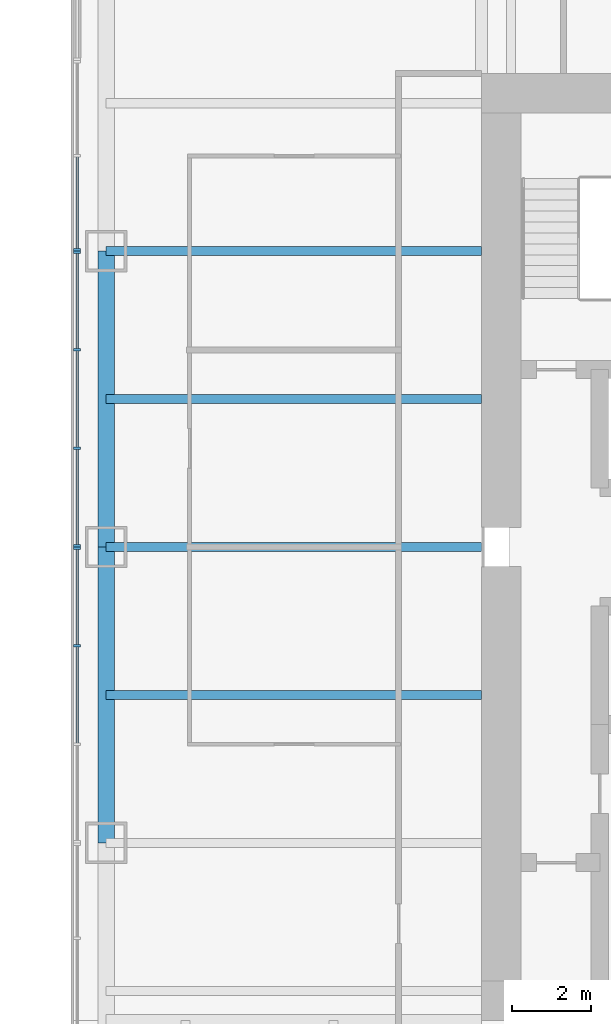
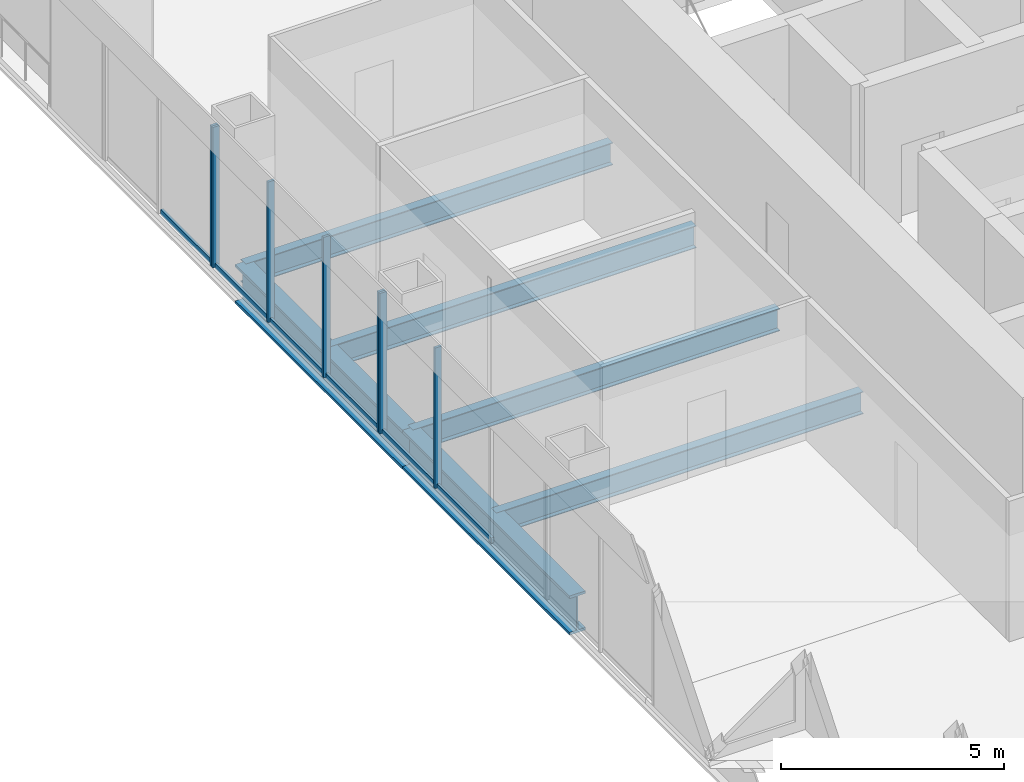
# One storey, part 3 of 13: 13 members, 6 beams, 3 elements without a shape of their own.
"""IFC4 building model written with IfcOpenShell, lengths in metres."""

from ifc_helpers import new_model, si_unit, direction, frame, origin, origin_2d, place, context, subcontext, project, spatial, rectangle, i_section, extrude, material, material_profile, profile_set, type_object, element, aggregate, save


model = new_model("IFC4")

# Units and contexts
model_context = context("Model", 3, precision=1e-05, world=origin(), true_north=direction((0.0, 1.0)))
body_context = subcontext(model_context, "Body", "Model", "MODEL_VIEW")
ifc_project = project(units=[si_unit("LENGTHUNIT", "METRE"), si_unit("AREAUNIT", "SQUARE_METRE"), si_unit("VOLUMEUNIT", "CUBIC_METRE"), si_unit("PLANEANGLEUNIT", "RADIAN"), si_unit("MASSUNIT", "GRAM", prefix="KILO")], contexts=[model_context])

# Site, building, storey
site_placement = place(None, origin())
site = spatial("IfcSite", under=ifc_project, at=site_placement, CompositionType="ELEMENT")
building_placement = place(site_placement, origin())
building = spatial("IfcBuilding", under=site, at=building_placement, Name="Tarangal Relay Tower", CompositionType="ELEMENT")
storey_placement = place(building_placement, frame((0.0, 0.0, 245.89990234375)))
storey = spatial("IfcBuildingStorey", under=building, at=storey_placement, Name="L53", CompositionType="ELEMENT", Elevation=245.89990234375)

# Beams
ifc_material_1 = material(Name="Steel ASTM A992", Category="steel")
ifc_material_profile_1 = material_profile(ifc_material_1, i_section(OverallWidth=0.41650390625, OverallDepth=1.0693359375, WebThickness=0.0390625, FlangeThickness=0.070068359375, at=origin_2d()), Name="W40X503")
ifc_profile_set_1 = profile_set([ifc_material_profile_1], Name="Steel ASTM A992")
beam_type_1 = type_object("IfcBeamType", Name="Edge girder W40X503", PredefinedType="SPANDREL", material=ifc_profile_set_1)
for number, where, z_axis, x_axis, name in (
    (1, (-21.514892578125, -7.5, -0.6845703125), (0.0, 1.0, 0.0), (-1.0, 0.0, 0.0), "Edge girder EG8 W L53"),
    (2, (-21.514892578125, 0.0, -0.6845703125), (0.0, 1.0, 0.0), (-1.0, 0.0, 0.0), "Edge girder EG8 W L53"),
):
    element("IfcBeam", number, at=place(storey_placement, frame(where, z_axis=z_axis, x_axis=x_axis)), inside=storey, type_object=beam_type_1, Name=name, PredefinedType="SPANDREL", context=body_context, shape_type="SweptSolid", body=[
        extrude(i_section(OverallWidth=0.41650390625, OverallDepth=1.0693359375, WebThickness=0.0390625, FlangeThickness=0.070068359375, at=origin_2d()), origin(), (0.0, 0.0, 1.0), 7.5),
    ])
ifc_material_profile_2 = material_profile(ifc_material_1, i_section(OverallWidth=0.22900390625, OverallDepth=0.612060546875, WebThickness=0.011962890625, FlangeThickness=0.01953125, at=origin_2d()), Name="W24X84")
ifc_profile_set_2 = profile_set([ifc_material_profile_2], Name="Steel ASTM A992")
beam_type_2 = type_object("IfcBeamType", Name="Floor beam W24X84", PredefinedType="BEAM", material=ifc_profile_set_2)
for number, where, z_axis, x_axis, name in (
    (3, (-12.0, -3.75, -0.455810546875), (-1.0, 0.0, 0.0), (0.0, -1.0, 0.0), "Floor beam RB12 W L53"),
    (4, (-12.0, 0.0, -0.455810546875), (-1.0, 0.0, 0.0), (0.0, -1.0, 0.0), "Floor beam RB12 W L53"),
    (5, (-12.0, 3.75, -0.455810546875), (-1.0, 0.0, 0.0), (0.0, -1.0, 0.0), "Floor beam RB12 W L53"),
    (6, (-12.0, 7.5, -0.455810546875), (-1.0, 0.0, 0.0), (0.0, -1.0, 0.0), "Floor beam RB12 W L53"),
):
    element("IfcBeam", number, at=place(storey_placement, frame(where, z_axis=z_axis, x_axis=x_axis)), inside=storey, type_object=beam_type_2, Name=name, PredefinedType="BEAM", context=body_context, shape_type="SweptSolid", body=[
        extrude(i_section(OverallWidth=0.22900390625, OverallDepth=0.612060546875, WebThickness=0.011962890625, FlangeThickness=0.01953125, at=origin_2d()), origin(), (0.0, 0.0, 1.0), 9.514892578125),
    ])

# Curtain wall, members
ifc_material_2 = material(Name="Unitised curtain wall, dark glass and black aluminium", Category="aluminium")
curtain_wall_type = type_object("IfcCurtainWallType", Name="Curtain wall CW-A", PredefinedType="USERDEFINED", material=ifc_material_2)
curtain_wall_1_placement = place(storey_placement, origin())
curtain_wall_1 = element("IfcCurtainWall", 7, at=curtain_wall_1_placement, inside=storey, type_object=curtain_wall_type, Name="Curtain wall CW-A W facade L53", ObjectType="UNITISED CURTAIN WALL", PredefinedType="USERDEFINED")
ifc_material_3 = material(Name="Black anodised aluminium mullion", Category="aluminium")
ifc_material_profile_3 = material_profile(ifc_material_3, rectangle(XDim=0.175048828125, YDim=0.06494140625, at=origin_2d()), Name="CW-AM 65X175")
ifc_profile_set_3 = profile_set([ifc_material_profile_3], Name="Black anodised aluminium mullion")
member_type_1 = type_object("IfcMemberType", Name="Mullion CW-A 65 x 175", PredefinedType="MULLION", material=ifc_profile_set_3)
member_1_placement = place(storey_placement, frame((-22.25, -2.5, 0.0), z_axis=(0.0, 0.0, 1.0), x_axis=(-1.0, 0.0, 0.0)))
member_1 = element("IfcMember", 8, at=member_1_placement, type_object=member_type_1, Name="CW-A mullion 3", PredefinedType="MULLION", context=body_context, shape_type="SweptSolid", body=[
    extrude(rectangle(XDim=0.175048828125, YDim=0.06494140625, at=origin_2d()), origin(), (0.0, 0.0, 1.0), 3.85009765625),
])
member_2_placement = place(storey_placement, frame((-22.25, -0.032470703125, 0.0), z_axis=(0.0, 0.0, 1.0), x_axis=(-1.0, 0.0, 0.0)))
member_2 = element("IfcMember", 9, at=member_2_placement, type_object=member_type_1, Name="CW-A mullion 4", PredefinedType="MULLION", context=body_context, shape_type="SweptSolid", body=[
    extrude(rectangle(XDim=0.175048828125, YDim=0.06494140625, at=origin_2d()), origin(), (0.0, 0.0, 1.0), 3.85009765625),
])

curtain_wall_2_placement = place(storey_placement, origin())
curtain_wall_2 = element("IfcCurtainWall", 10, at=curtain_wall_2_placement, inside=storey, type_object=curtain_wall_type, Name="Curtain wall CW-A W facade L53", ObjectType="UNITISED CURTAIN WALL", PredefinedType="USERDEFINED")
member_3_placement = place(storey_placement, frame((-22.25, 0.032470703125, 0.0), z_axis=(0.0, 0.0, 1.0), x_axis=(-1.0, 0.0, 0.0)))
member_3 = element("IfcMember", 11, at=member_3_placement, type_object=member_type_1, Name="CW-A mullion 1", PredefinedType="MULLION", context=body_context, shape_type="SweptSolid", body=[
    extrude(rectangle(XDim=0.175048828125, YDim=0.06494140625, at=origin_2d()), origin(), (0.0, 0.0, 1.0), 3.85009765625),
])
member_4_placement = place(storey_placement, frame((-22.25, 2.5, 0.0), z_axis=(0.0, 0.0, 1.0), x_axis=(-1.0, 0.0, 0.0)))
member_4 = element("IfcMember", 12, at=member_4_placement, type_object=member_type_1, Name="CW-A mullion 2", PredefinedType="MULLION", context=body_context, shape_type="SweptSolid", body=[
    extrude(rectangle(XDim=0.175048828125, YDim=0.06494140625, at=origin_2d()), origin(), (0.0, 0.0, 1.0), 3.85009765625),
])
member_5_placement = place(storey_placement, frame((-22.25, 5.0, 0.0), z_axis=(0.0, 0.0, 1.0), x_axis=(-1.0, 0.0, 0.0)))
member_5 = element("IfcMember", 13, at=member_5_placement, type_object=member_type_1, Name="CW-A mullion 3", PredefinedType="MULLION", context=body_context, shape_type="SweptSolid", body=[
    extrude(rectangle(XDim=0.175048828125, YDim=0.06494140625, at=origin_2d()), origin(), (0.0, 0.0, 1.0), 3.85009765625),
])
member_6_placement = place(storey_placement, frame((-22.25, 7.467529296875, 0.0), z_axis=(0.0, 0.0, 1.0), x_axis=(-1.0, 0.0, 0.0)))
member_6 = element("IfcMember", 14, at=member_6_placement, type_object=member_type_1, Name="CW-A mullion 4", PredefinedType="MULLION", context=body_context, shape_type="SweptSolid", body=[
    extrude(rectangle(XDim=0.175048828125, YDim=0.06494140625, at=origin_2d()), origin(), (0.0, 0.0, 1.0), 3.85009765625),
])

# Curtain wall, member
curtain_wall_3_placement = place(storey_placement, origin())
curtain_wall_3 = element("IfcCurtainWall", 15, at=curtain_wall_3_placement, inside=storey, type_object=curtain_wall_type, Name="Curtain wall CW-A W facade L53", ObjectType="UNITISED CURTAIN WALL", PredefinedType="USERDEFINED")
member_7_placement = place(storey_placement, frame((-22.25, 7.532470703125, 0.0), z_axis=(0.0, 0.0, 1.0), x_axis=(-1.0, 0.0, 0.0)))
member_7 = element("IfcMember", 16, at=member_7_placement, type_object=member_type_1, Name="CW-A mullion 1", PredefinedType="MULLION", context=body_context, shape_type="SweptSolid", body=[
    extrude(rectangle(XDim=0.175048828125, YDim=0.06494140625, at=origin_2d()), origin(), (0.0, 0.0, 1.0), 3.85009765625),
])

# Member
ifc_material_4 = material(Name="Black anodised aluminium transom", Category="aluminium")
ifc_material_profile_4 = material_profile(ifc_material_4, rectangle(XDim=0.06494140625, YDim=0.14990234375, at=origin_2d()), Name="CW-AT 65X150")
ifc_profile_set_4 = profile_set([ifc_material_profile_4], Name="Black anodised aluminium transom")
member_type_2 = type_object("IfcMemberType", Name="Transom CW-A 65 x 150", PredefinedType="USERDEFINED", material=ifc_profile_set_4)
member_8_placement = place(storey_placement, frame((-22.25, -4.967529296875, 0.03271484375), z_axis=(0.0, 1.0, 0.0), x_axis=(-1.0, 0.0, 0.0)))
member_8 = element("IfcMember", 17, at=member_8_placement, type_object=member_type_2, Name="CW-A transom 2.1", ObjectType="TRANSOM", PredefinedType="USERDEFINED", context=body_context, shape_type="SweptSolid", body=[
    extrude(rectangle(XDim=0.06494140625, YDim=0.14990234375, at=origin_2d()), origin(), (0.0, 0.0, 1.0), 2.43505859375),
])

member_9_placement = place(storey_placement, frame((-22.25, -2.467529296875, 0.03271484375), z_axis=(0.0, 1.0, 0.0), x_axis=(-1.0, 0.0, 0.0)))
member_9 = element("IfcMember", 18, at=member_9_placement, type_object=member_type_2, Name="CW-A transom 3.1", ObjectType="TRANSOM", PredefinedType="USERDEFINED", context=body_context, shape_type="SweptSolid", body=[
    extrude(rectangle(XDim=0.06494140625, YDim=0.14990234375, at=origin_2d()), origin(), (0.0, 0.0, 1.0), 2.402587890625),
])

aggregate(curtain_wall_1, [member_1, member_2, member_8, member_9])

member_10_placement = place(storey_placement, frame((-22.25, 0.06494140625, 0.03271484375), z_axis=(0.0, 1.0, 0.0), x_axis=(-1.0, 0.0, 0.0)))
member_10 = element("IfcMember", 19, at=member_10_placement, type_object=member_type_2, Name="CW-A transom 1.1", ObjectType="TRANSOM", PredefinedType="USERDEFINED", context=body_context, shape_type="SweptSolid", body=[
    extrude(rectangle(XDim=0.06494140625, YDim=0.14990234375, at=origin_2d()), origin(), (0.0, 0.0, 1.0), 2.402587890625),
])

member_11_placement = place(storey_placement, frame((-22.25, 2.532470703125, 0.03271484375), z_axis=(0.0, 1.0, 0.0), x_axis=(-1.0, 0.0, 0.0)))
member_11 = element("IfcMember", 20, at=member_11_placement, type_object=member_type_2, Name="CW-A transom 2.1", ObjectType="TRANSOM", PredefinedType="USERDEFINED", context=body_context, shape_type="SweptSolid", body=[
    extrude(rectangle(XDim=0.06494140625, YDim=0.14990234375, at=origin_2d()), origin(), (0.0, 0.0, 1.0), 2.43505859375),
])

member_12_placement = place(storey_placement, frame((-22.25, 5.032470703125, 0.03271484375), z_axis=(0.0, 1.0, 0.0), x_axis=(-1.0, 0.0, 0.0)))
member_12 = element("IfcMember", 21, at=member_12_placement, type_object=member_type_2, Name="CW-A transom 3.1", ObjectType="TRANSOM", PredefinedType="USERDEFINED", context=body_context, shape_type="SweptSolid", body=[
    extrude(rectangle(XDim=0.06494140625, YDim=0.14990234375, at=origin_2d()), origin(), (0.0, 0.0, 1.0), 2.402587890625),
])

aggregate(curtain_wall_2, [member_3, member_4, member_5, member_6, member_10, member_11, member_12])

member_13_placement = place(storey_placement, frame((-22.25, 7.56494140625, 0.03271484375), z_axis=(0.0, 1.0, 0.0), x_axis=(-1.0, 0.0, 0.0)))
member_13 = element("IfcMember", 22, at=member_13_placement, type_object=member_type_2, Name="CW-A transom 1.1", ObjectType="TRANSOM", PredefinedType="USERDEFINED", context=body_context, shape_type="SweptSolid", body=[
    extrude(rectangle(XDim=0.06494140625, YDim=0.14990234375, at=origin_2d()), origin(), (0.0, 0.0, 1.0), 2.319091796875),
])

aggregate(curtain_wall_3, [member_7, member_13])

save(model, "model.ifc")
